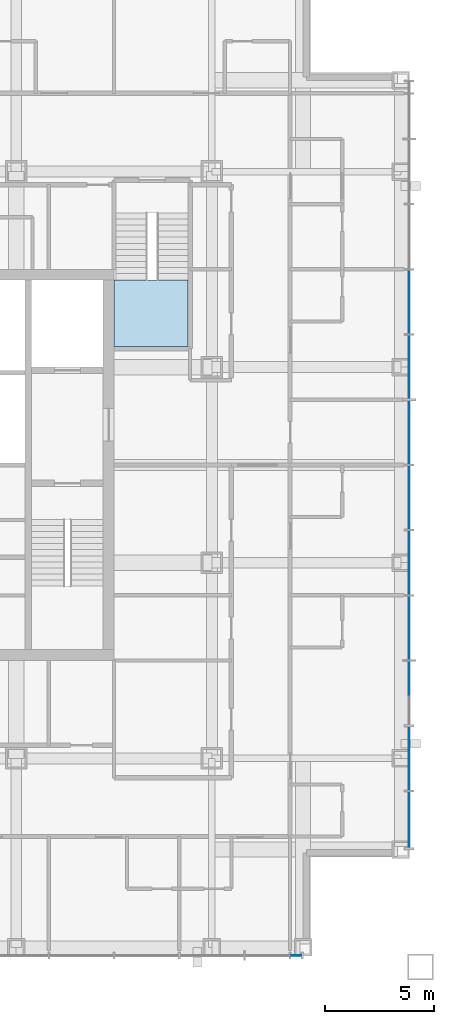
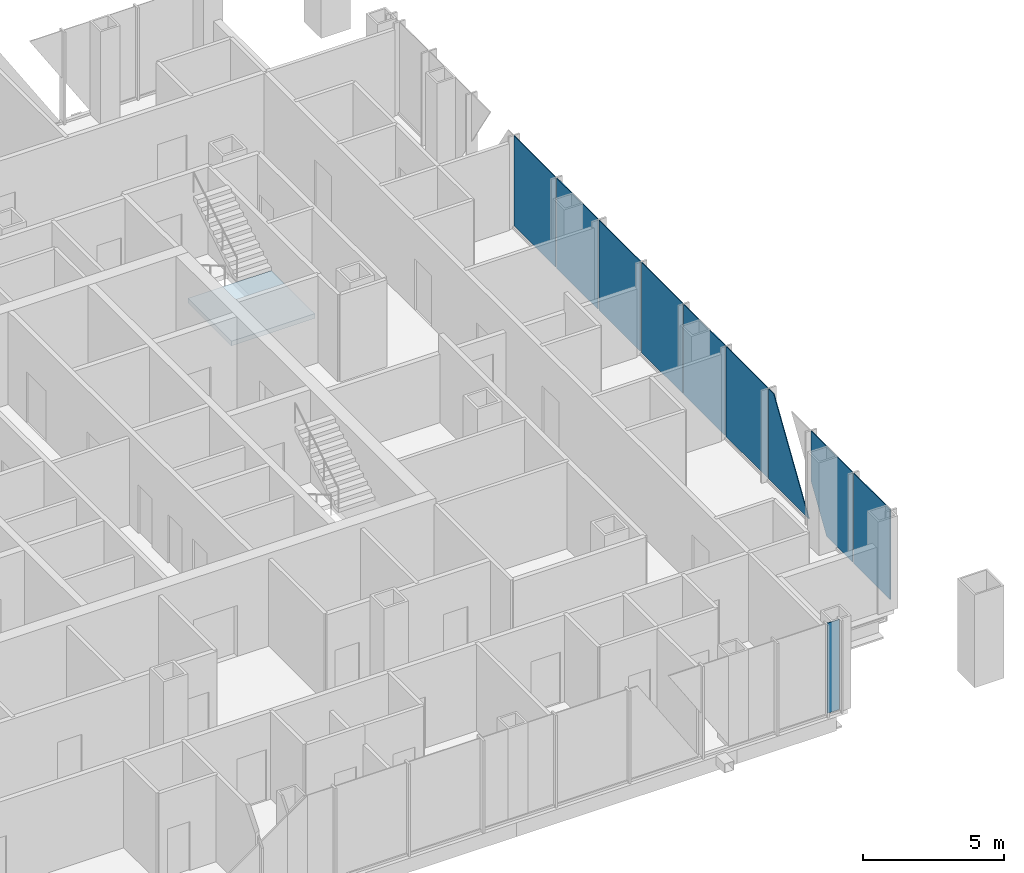
# One storey, part 9 of 18: 10 plates, 1 slab, 3 elements without a shape of their own.
"""IFC4 building model written with IfcOpenShell, lengths in metres."""

from ifc_helpers import new_model, si_unit, direction, frame, origin, origin_2d, place, context, subcontext, project, spatial, polyline, rectangle, outline, extrude, material, layer, layer_set, type_object, element, aggregate, save


model = new_model("IFC4")

# Units and contexts
model_context = context("Model", 3, precision=1e-05, world=origin(), true_north=direction((0.0, 1.0)))
body_context = subcontext(model_context, "Body", "Model", "MODEL_VIEW")
ifc_project = project(units=[si_unit("LENGTHUNIT", "METRE"), si_unit("AREAUNIT", "SQUARE_METRE"), si_unit("VOLUMEUNIT", "CUBIC_METRE"), si_unit("PLANEANGLEUNIT", "RADIAN"), si_unit("MASSUNIT", "GRAM", prefix="KILO")], contexts=[model_context])

# Site, building, storey
site_placement = place(None, origin())
site = spatial("IfcSite", under=ifc_project, at=site_placement, CompositionType="ELEMENT")
building_placement = place(site_placement, origin())
building = spatial("IfcBuilding", under=site, at=building_placement, Name="Malebo Sky Hospital", CompositionType="ELEMENT")
storey_placement = place(building_placement, frame((0.0, 0.0, 225.0)))
storey = spatial("IfcBuildingStorey", under=building, at=storey_placement, Name="L54", CompositionType="ELEMENT", Elevation=225.0)

# Stair, slab
ifc_material_1 = material(Name="Concrete C40/50", Category="concrete")
stair_type = type_object("IfcStairType", Name="HALF-TURN STAIR 1400 R167", PredefinedType="HALF_TURN_STAIR", material=ifc_material_1)
stair_placement = place(storey_placement, origin())
stair = element("IfcStair", 1, at=stair_placement, inside=storey, type_object=stair_type, Name="Stair S3 L54 type ST1B", PredefinedType="HALF_TURN_STAIR")
ifc_layer_1 = layer(ifc_material_1, 0.199951171875)
ifc_layer_set_1 = layer_set([ifc_layer_1], Name="STAIR LANDING 200")
slab_type = type_object("IfcSlabType", Name="STAIR LANDING 200", PredefinedType="LANDING", material=ifc_layer_set_1)
slab_placement = place(storey_placement, frame((0.0, 0.0, 1.800048828125)))
slab = element("IfcSlab", 2, at=slab_placement, type_object=slab_type, Name="S3 landing 2", PredefinedType="LANDING", context=body_context, shape_type="SweptSolid", body=[
    extrude(outline(polyline([(69.0, 67.449951171875), (72.39990234375, 67.449951171875), (72.39990234375, 70.52001953125), (69.0, 70.52001953125), (69.0, 67.449951171875)])), origin(), (0.0, 0.0, 1.0), 0.199951171875),
])
aggregate(stair, [slab])

# Curtain wall, plate
ifc_material_2 = material(Name="Anodised aluminium, natural silver", Category="aluminium")
ifc_layer_2 = layer(ifc_material_2, 0.25)
ifc_layer_set_2 = layer_set([ifc_layer_2], Name="WARD CURTAIN WALL NORTH AND SOUTH")
curtain_wall_type_1 = type_object("IfcCurtainWallType", Name="WARD CURTAIN WALL NORTH AND SOUTH", PredefinedType="NOTDEFINED", material=ifc_layer_set_2)
curtain_wall_1_placement = place(storey_placement, origin())
curtain_wall_1 = element("IfcCurtainWall", 3, at=curtain_wall_1_placement, inside=storey, type_object=curtain_wall_type_1, Name="NS curtain wall S", PredefinedType="NOTDEFINED")
ifc_material_3 = material(Name="Clear low-iron double glazing", Category="glass")
ifc_layer_3 = layer(ifc_material_3, 0.031982421875)
ifc_layer_set_3 = layer_set([ifc_layer_3], Name="VISION PANEL CLEAR 32")
plate_type = type_object("IfcPlateType", Name="VISION PANEL CLEAR 32", PredefinedType="CURTAIN_PANEL", material=ifc_layer_set_3)
plate_1_placement = place(storey_placement, frame((77.38134765625, 39.425048828125, 0.10009765625), z_axis=(0.0, 0.0, 1.0), x_axis=(-1.0, 0.0, 0.0)))
plate_1 = element("IfcPlate", 4, at=plate_1_placement, type_object=plate_type, Name="Panel 1", PredefinedType="CURTAIN_PANEL", context=body_context, shape_type="SweptSolid", body=[
    extrude(rectangle(XDim=0.487548828125, YDim=0.031982421875, at=origin_2d()), origin(), (0.0, 0.0, 1.0), 3.889892578125),
])
aggregate(curtain_wall_1, [plate_1])

# Curtain wall, plates
ifc_layer_4 = layer(ifc_material_2, 0.25)
ifc_layer_set_4 = layer_set([ifc_layer_4], Name="WARD CURTAIN WALL EAST AND WEST")
curtain_wall_type_2 = type_object("IfcCurtainWallType", Name="WARD CURTAIN WALL EAST AND WEST", PredefinedType="NOTDEFINED", material=ifc_layer_set_4)
curtain_wall_2_placement = place(storey_placement, origin())
curtain_wall_2 = element("IfcCurtainWall", 5, at=curtain_wall_2_placement, inside=storey, type_object=curtain_wall_type_2, Name="EW curtain wall E", PredefinedType="NOTDEFINED")
plate_2_placement = place(storey_placement, frame((82.574951171875, 69.5, 0.10009765625), z_axis=(0.0, 0.0, 1.0), x_axis=(0.0, -1.0, 0.0)))
plate_2 = element("IfcPlate", 6, at=plate_2_placement, type_object=plate_type, Name="Panel 5", PredefinedType="CURTAIN_PANEL", context=body_context, shape_type="SweptSolid", body=[
    extrude(rectangle(XDim=2.925048828125, YDim=0.031982421875, at=origin_2d()), origin(), (0.0, 0.0, 1.0), 3.889892578125),
])
plate_3_placement = place(storey_placement, frame((82.574951171875, 66.5, 0.10009765625), z_axis=(0.0, 0.0, 1.0), x_axis=(0.0, -1.0, 0.0)))
plate_3 = element("IfcPlate", 7, at=plate_3_placement, type_object=plate_type, Name="Panel 6", PredefinedType="CURTAIN_PANEL", context=body_context, shape_type="SweptSolid", body=[
    extrude(rectangle(XDim=2.925048828125, YDim=0.031982421875, at=origin_2d()), origin(), (0.0, 0.0, 1.0), 3.889892578125),
])
plate_4_placement = place(storey_placement, frame((82.574951171875, 63.5, 0.10009765625), z_axis=(0.0, 0.0, 1.0), x_axis=(0.0, -1.0, 0.0)))
plate_4 = element("IfcPlate", 8, at=plate_4_placement, type_object=plate_type, Name="Panel 7", PredefinedType="CURTAIN_PANEL", context=body_context, shape_type="SweptSolid", body=[
    extrude(rectangle(XDim=2.925048828125, YDim=0.031982421875, at=origin_2d()), origin(), (0.0, 0.0, 1.0), 3.889892578125),
])
plate_5_placement = place(storey_placement, frame((82.574951171875, 60.5, 0.10009765625), z_axis=(0.0, 0.0, 1.0), x_axis=(0.0, -1.0, 0.0)))
plate_5 = element("IfcPlate", 9, at=plate_5_placement, type_object=plate_type, Name="Panel 8", PredefinedType="CURTAIN_PANEL", context=body_context, shape_type="SweptSolid", body=[
    extrude(rectangle(XDim=2.925048828125, YDim=0.031982421875, at=origin_2d()), origin(), (0.0, 0.0, 1.0), 3.889892578125),
])
plate_6_placement = place(storey_placement, frame((82.574951171875, 57.5, 0.10009765625), z_axis=(0.0, 0.0, 1.0), x_axis=(0.0, -1.0, 0.0)))
plate_6 = element("IfcPlate", 10, at=plate_6_placement, type_object=plate_type, Name="Panel 9", PredefinedType="CURTAIN_PANEL", context=body_context, shape_type="SweptSolid", body=[
    extrude(rectangle(XDim=2.925048828125, YDim=0.031982421875, at=origin_2d()), origin(), (0.0, 0.0, 1.0), 3.889892578125),
])
plate_7_placement = place(storey_placement, frame((82.574951171875, 54.5, 0.10009765625), z_axis=(0.0, 0.0, 1.0), x_axis=(0.0, -1.0, 0.0)))
plate_7 = element("IfcPlate", 11, at=plate_7_placement, type_object=plate_type, Name="Panel 10", PredefinedType="CURTAIN_PANEL", context=body_context, shape_type="SweptSolid", body=[
    extrude(rectangle(XDim=2.925048828125, YDim=0.031982421875, at=origin_2d()), origin(), (0.0, 0.0, 1.0), 3.889892578125),
])
plate_8_placement = place(storey_placement, frame((82.574951171875, 51.537109375, 0.10009765625), z_axis=(0.0, 0.0, 1.0), x_axis=(0.0, -1.0, 0.0)))
plate_8 = element("IfcPlate", 12, at=plate_8_placement, type_object=plate_type, Name="Panel 11", PredefinedType="CURTAIN_PANEL", context=body_context, shape_type="SweptSolid", body=[
    extrude(outline(polyline([(-1.42529296875, 0.0), (1.42529296875, 0.0), (-1.07080078125, 3.889892578125), (-1.42529296875, 3.889892578125), (-1.42529296875, 0.0)])), frame((0.0, 0.01611328125, 0.0), z_axis=(0.0, -1.0, 0.0), x_axis=(1.0, 0.0, 0.0)), (0.0, 0.0, 1.0), 0.031982421875),
])
plate_9_placement = place(storey_placement, frame((82.574951171875, 48.5, 0.10009765625), z_axis=(0.0, 0.0, 1.0), x_axis=(0.0, -1.0, 0.0)))
plate_9 = element("IfcPlate", 13, at=plate_9_placement, type_object=plate_type, Name="Panel 12", PredefinedType="CURTAIN_PANEL", context=body_context, shape_type="SweptSolid", body=[
    extrude(outline(polyline([(-0.363037109375, 0.0), (1.46240234375, 0.0), (1.46240234375, 3.889892578125), (-1.46240234375, 3.889892578125), (-1.46240234375, 1.71337890625), (-0.363037109375, 0.0)])), frame((0.0, 0.01611328125, 0.0), z_axis=(0.0, -1.0, 0.0), x_axis=(1.0, 0.0, 0.0)), (0.0, 0.0, 1.0), 0.031982421875),
])
plate_10_placement = place(storey_placement, frame((82.574951171875, 45.668701171875, 0.10009765625), z_axis=(0.0, 0.0, 1.0), x_axis=(0.0, -1.0, 0.0)))
plate_10 = element("IfcPlate", 14, at=plate_10_placement, type_object=plate_type, Name="Panel 13", PredefinedType="CURTAIN_PANEL", context=body_context, shape_type="SweptSolid", body=[
    extrude(rectangle(XDim=2.58740234375, YDim=0.031982421875, at=origin_2d()), origin(), (0.0, 0.0, 1.0), 3.889892578125),
])
aggregate(curtain_wall_2, [plate_2, plate_3, plate_4, plate_5, plate_6, plate_7, plate_8, plate_9, plate_10])

save(model, "model.ifc")
